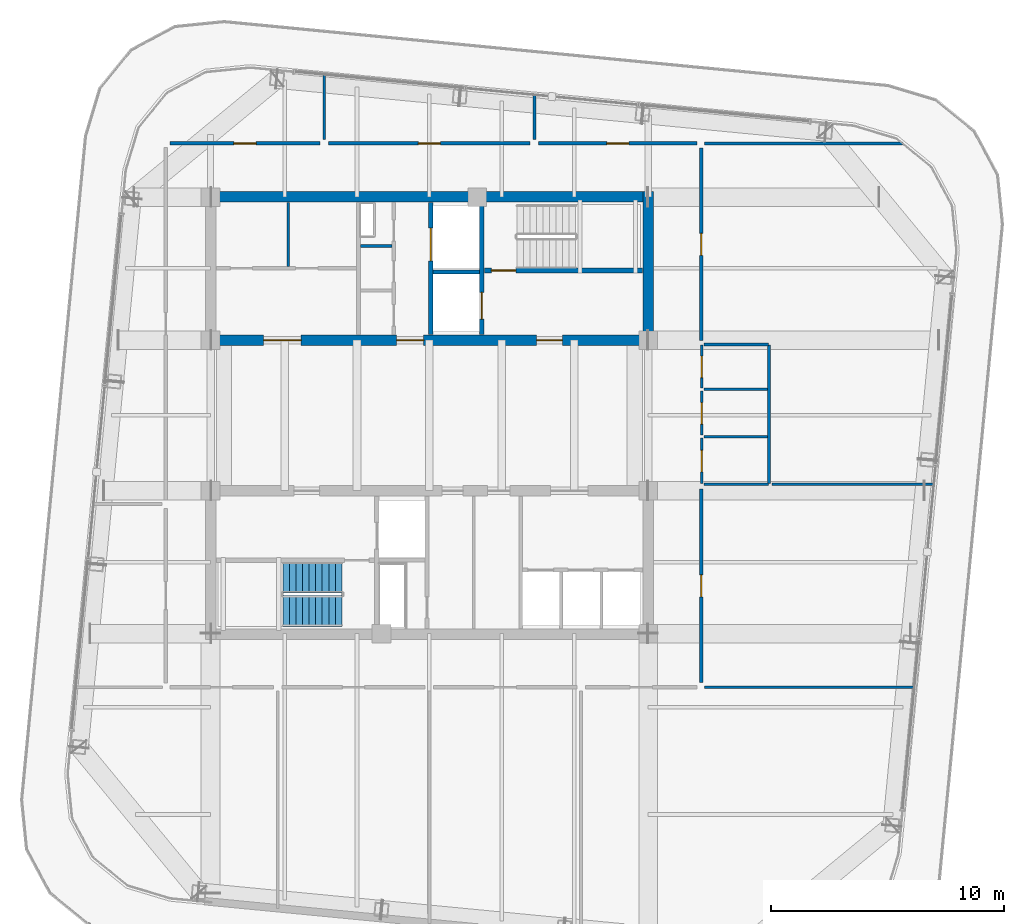
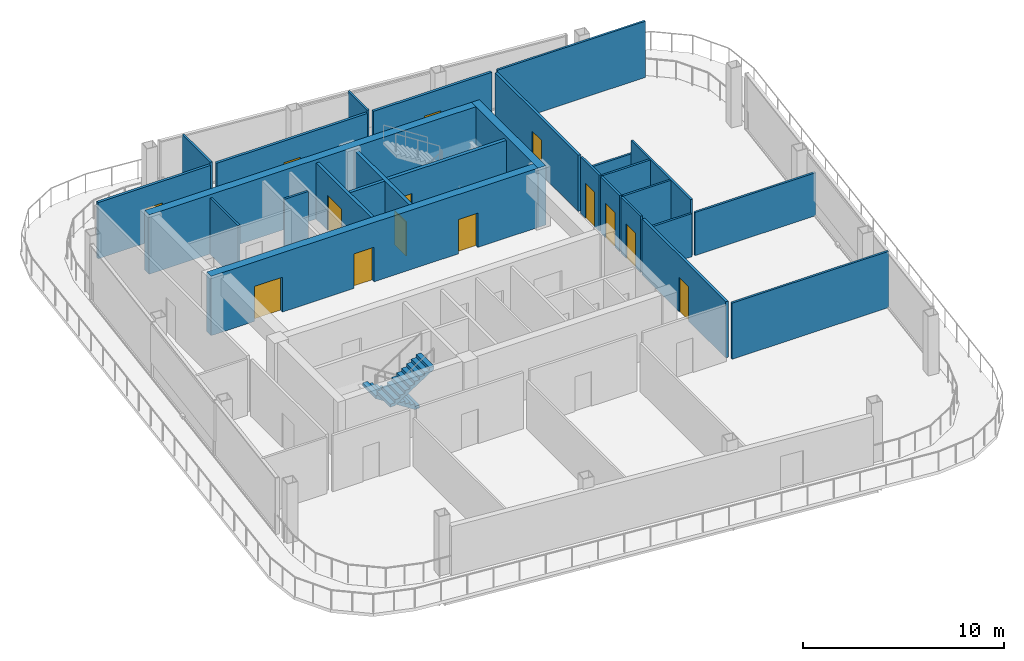
# One storey, part 14 of 20: 27 walls, 14 doors, 2 stair flights, 14 openings, 1 element without a shape of its own.
"""IFC4 building model written with IfcOpenShell, lengths in metres."""

from ifc_helpers import new_model, si_unit, direction, frame, frame_2d, origin, place, context, subcontext, project, spatial, polyline, rectangle, outline, extrude, material, layer, layer_set, type_object, element, fill, aggregate, save


model = new_model("IFC4")

# Units and contexts
model_context = context("Model", 3, precision=1e-05, world=origin(), true_north=direction((0.0, 1.0)))
body_context = subcontext(model_context, "Body", "Model", "MODEL_VIEW")
ifc_project = project(units=[si_unit("LENGTHUNIT", "METRE"), si_unit("AREAUNIT", "SQUARE_METRE"), si_unit("VOLUMEUNIT", "CUBIC_METRE"), si_unit("PLANEANGLEUNIT", "RADIAN"), si_unit("MASSUNIT", "GRAM", prefix="KILO")], contexts=[model_context])

# Site, building, storey
site_placement = place(None, origin())
site = spatial("IfcSite", under=ifc_project, at=site_placement, CompositionType="ELEMENT")
building_placement = place(site_placement, origin())
building = spatial("IfcBuilding", under=site, at=building_placement, Name="Qhalaya Broadcast Tower", CompositionType="ELEMENT")
storey_placement = place(building_placement, frame((0.0, 0.0, 273.35009765625)))
storey = spatial("IfcBuildingStorey", under=building, at=storey_placement, Name="L81", CompositionType="ELEMENT", Elevation=273.35009765625)

# Wall, opening, door
ifc_material_1 = material(Name="Gypsum Acoustic Partition")
ifc_layer_1 = layer(ifc_material_1, 0.14990234375, Name="Gypsum Acoustic Partition")
ifc_layer_set_1 = layer_set([ifc_layer_1], Name="Gypsum Acoustic Partition")
wall_type_1 = type_object("IfcWallType", Name="Corridor & Tenancy Acoustic Partition 150", PredefinedType="PARTITIONING", material=ifc_layer_set_1)
wall_1_placement = place(storey_placement, frame((-11.1201171875, 12.25, 0.0), z_axis=(0.0, 0.0, 1.0), x_axis=(1.0, 0.0, 0.0)))
wall_1 = element("IfcWall", 1, at=wall_1_placement, inside=storey, type_object=wall_type_1, Name="L81 Partition Wall W-COR-01", PredefinedType="PARTITIONING", context=body_context, shape_type="SweptSolid", body=[
    extrude(rectangle(XDim=6.440185546875, YDim=0.14990234375, at=frame_2d((3.22021484375, 0.0))), origin(), (0.0, 0.0, 1.0), 3.409912109375),
])
opening_1_placement = place(wall_1_placement, frame((2.7451171875, 0.0, 0.0)))
opening_1 = element("IfcOpeningElement", 2, at=opening_1_placement, cuts=wall_1, Name="Opening D10", PredefinedType="OPENING", context=body_context, shape_type="SweptSolid", body=[
    extrude(rectangle(XDim=0.949951171875, YDim=2.10009765625, at=frame_2d((0.47509765625, 1.050048828125))), frame((0.0, 0.0869140625, 0.0), z_axis=(0.0, -1.0, 0.0), x_axis=(1.0, 0.0, 0.0)), (0.0, 0.0, 1.0), 0.173828125),
])
ifc_material_2 = material(Name="Timber Veneer Acoustic Door", Category="wood")
door_type_1 = type_object("IfcDoorType", Name="Cellular Office & Edit Booth Door D10", OperationType="NOTDEFINED", PredefinedType="DOOR", material=ifc_material_2)
door_1_placement = place(opening_1_placement, origin())
door_1 = element("IfcDoor", 3, at=door_1_placement, inside=storey, type_object=door_type_1, Name="L81 Door D-RM01", OperationType="SINGLE_SWING_LEFT", OverallHeight=2.10009765625, OverallWidth=0.949951171875, PredefinedType="DOOR", context=body_context, shape_type="SweptSolid", body=[
    extrude(rectangle(XDim=0.949951171875, YDim=2.10009765625, at=frame_2d((0.47509765625, 1.050048828125))), frame((0.0, 0.02490234375, 0.0), z_axis=(0.0, -1.0, 0.0), x_axis=(1.0, 0.0, 0.0)), (0.0, 0.0, 1.0), 0.050048828125),
])
fill(opening_1, door_1)

wall_2_placement = place(storey_placement, frame((-4.320068359375, 12.25, 0.0), z_axis=(0.0, 0.0, 1.0), x_axis=(1.0, 0.0, 0.0)))
wall_2 = element("IfcWall", 4, at=wall_2_placement, inside=storey, type_object=wall_type_1, Name="L81 Partition Wall W-COR-02", PredefinedType="PARTITIONING", context=body_context, shape_type="SweptSolid", body=[
    extrude(rectangle(XDim=8.64013671875, YDim=0.14990234375, at=frame_2d((4.320068359375, 0.0))), origin(), (0.0, 0.0, 1.0), 3.409912109375),
])
opening_2_placement = place(wall_2_placement, frame((3.844970703125, 0.0, 0.0)))
opening_2 = element("IfcOpeningElement", 5, at=opening_2_placement, cuts=wall_2, Name="Opening D10", PredefinedType="OPENING", context=body_context, shape_type="SweptSolid", body=[
    extrude(rectangle(XDim=0.949951171875, YDim=2.10009765625, at=frame_2d((0.47509765625, 1.050048828125))), frame((0.0, 0.0869140625, 0.0), z_axis=(0.0, -1.0, 0.0), x_axis=(1.0, 0.0, 0.0)), (0.0, 0.0, 1.0), 0.173828125),
])
door_2_placement = place(opening_2_placement, origin())
door_2 = element("IfcDoor", 6, at=door_2_placement, inside=storey, type_object=door_type_1, Name="L81 Door D-RM02", OperationType="SINGLE_SWING_RIGHT", OverallHeight=2.10009765625, OverallWidth=0.949951171875, PredefinedType="DOOR", context=body_context, shape_type="SweptSolid", body=[
    extrude(rectangle(XDim=0.949951171875, YDim=2.10009765625, at=frame_2d((0.47509765625, 1.050048828125))), frame((0.0, 0.02490234375, 0.0), z_axis=(0.0, -1.0, 0.0), x_axis=(1.0, 0.0, 0.0)), (0.0, 0.0, 1.0), 0.050048828125),
])
fill(opening_2, door_2)

wall_3_placement = place(storey_placement, frame((4.679931640625, 12.25, 0.0), z_axis=(0.0, 0.0, 1.0), x_axis=(1.0, 0.0, 0.0)))
wall_3 = element("IfcWall", 7, at=wall_3_placement, inside=storey, type_object=wall_type_1, Name="L81 Partition Wall W-COR-03", PredefinedType="PARTITIONING", context=body_context, shape_type="SweptSolid", body=[
    extrude(rectangle(XDim=6.7900390625, YDim=0.14990234375, at=frame_2d((3.39501953125, 0.0))), origin(), (0.0, 0.0, 1.0), 3.409912109375),
])
opening_3_placement = place(wall_3_placement, frame((2.919921875, 0.0, 0.0)))
opening_3 = element("IfcOpeningElement", 8, at=opening_3_placement, cuts=wall_3, Name="Opening D10", PredefinedType="OPENING", context=body_context, shape_type="SweptSolid", body=[
    extrude(rectangle(XDim=0.949951171875, YDim=2.10009765625, at=frame_2d((0.47509765625, 1.050048828125))), frame((0.0, 0.0869140625, 0.0), z_axis=(0.0, -1.0, 0.0), x_axis=(1.0, 0.0, 0.0)), (0.0, 0.0, 1.0), 0.173828125),
])
door_3_placement = place(opening_3_placement, origin())
door_3 = element("IfcDoor", 9, at=door_3_placement, inside=storey, type_object=door_type_1, Name="L81 Door D-RM03", OperationType="SINGLE_SWING_LEFT", OverallHeight=2.10009765625, OverallWidth=0.949951171875, PredefinedType="DOOR", context=body_context, shape_type="SweptSolid", body=[
    extrude(rectangle(XDim=0.949951171875, YDim=2.10009765625, at=frame_2d((0.47509765625, 1.050048828125))), frame((0.0, 0.02490234375, 0.0), z_axis=(0.0, -1.0, 0.0), x_axis=(1.0, 0.0, 0.0)), (0.0, 0.0, 1.0), 0.050048828125),
])
fill(opening_3, door_3)

wall_4_placement = place(storey_placement, frame((11.64990234375, -10.85009765625, 0.0), z_axis=(0.0, 0.0, 1.0), x_axis=(0.0, 1.0, 0.0)))
wall_4 = element("IfcWall", 10, at=wall_4_placement, inside=storey, type_object=wall_type_1, Name="L81 Partition Wall W-COR-10", PredefinedType="PARTITIONING", context=body_context, shape_type="SweptSolid", body=[
    extrude(rectangle(XDim=8.2900390625, YDim=0.14990234375, at=frame_2d((4.14501953125, 0.0))), origin(), (0.0, 0.0, 1.0), 3.409912109375),
])
opening_4_placement = place(wall_4_placement, frame((3.669921875, 0.0, 0.0)))
opening_4 = element("IfcOpeningElement", 11, at=opening_4_placement, cuts=wall_4, Name="Opening D10", PredefinedType="OPENING", context=body_context, shape_type="SweptSolid", body=[
    extrude(rectangle(XDim=0.949951171875, YDim=2.10009765625, at=frame_2d((0.47509765625, 1.050048828125))), frame((0.0, 0.0869140625, 0.0), z_axis=(0.0, -1.0, 0.0), x_axis=(1.0, 0.0, 0.0)), (0.0, 0.0, 1.0), 0.173828125),
])
door_4_placement = place(opening_4_placement, origin())
door_4 = element("IfcDoor", 12, at=door_4_placement, inside=storey, type_object=door_type_1, Name="L81 Door D-RM10", OperationType="SINGLE_SWING_RIGHT", OverallHeight=2.10009765625, OverallWidth=0.949951171875, PredefinedType="DOOR", context=body_context, shape_type="SweptSolid", body=[
    extrude(rectangle(XDim=0.949951171875, YDim=2.10009765625, at=frame_2d((0.47509765625, 1.050048828125))), frame((0.0, 0.02490234375, 0.0), z_axis=(0.0, -1.0, 0.0), x_axis=(1.0, 0.0, 0.0)), (0.0, 0.0, 1.0), 0.050048828125),
])
fill(opening_4, door_4)

wall_5_placement = place(storey_placement, frame((11.64990234375, 3.800048828125, 0.0), z_axis=(0.0, 0.0, 1.0), x_axis=(0.0, 1.0, 0.0)))
wall_5 = element("IfcWall", 13, at=wall_5_placement, inside=storey, type_object=wall_type_1, Name="L81 Partition Wall W-COR-11", PredefinedType="PARTITIONING", context=body_context, shape_type="SweptSolid", body=[
    extrude(rectangle(XDim=8.25, YDim=0.14990234375, at=frame_2d((4.125, 0.0))), origin(), (0.0, 0.0, 1.0), 3.409912109375),
])
opening_5_placement = place(wall_5_placement, frame((3.64990234375, 0.0, 0.0)))
opening_5 = element("IfcOpeningElement", 14, at=opening_5_placement, cuts=wall_5, Name="Opening D10", PredefinedType="OPENING", context=body_context, shape_type="SweptSolid", body=[
    extrude(rectangle(XDim=0.949951171875, YDim=2.10009765625, at=frame_2d((0.47509765625, 1.050048828125))), frame((0.0, 0.0869140625, 0.0), z_axis=(0.0, -1.0, 0.0), x_axis=(1.0, 0.0, 0.0)), (0.0, 0.0, 1.0), 0.173828125),
])
door_5_placement = place(opening_5_placement, origin())
door_5 = element("IfcDoor", 15, at=door_5_placement, inside=storey, type_object=door_type_1, Name="L81 Door D-RM11", OperationType="SINGLE_SWING_LEFT", OverallHeight=2.10009765625, OverallWidth=0.949951171875, PredefinedType="DOOR", context=body_context, shape_type="SweptSolid", body=[
    extrude(rectangle(XDim=0.949951171875, YDim=2.10009765625, at=frame_2d((0.47509765625, 1.050048828125))), frame((0.0, 0.02490234375, 0.0), z_axis=(0.0, -1.0, 0.0), x_axis=(1.0, 0.0, 0.0)), (0.0, 0.0, 1.0), 0.050048828125),
])
fill(opening_5, door_5)

ifc_material_3 = material(Name="Concrete C50/60", Category="concrete")
ifc_layer_2 = layer(ifc_material_3, 0.199951171875, Name="Concrete C50/60")
ifc_layer_set_2 = layer_set([ifc_layer_2], Name="Concrete C50/60")
wall_type_2 = type_object("IfcWallType", Name="Load-Bearing Stair Shaft Wall 200", PredefinedType="SHEAR", material=ifc_layer_set_2)
wall_6_placement = place(storey_placement, frame((2.360107421875, 6.804931640625, 0.0), z_axis=(0.0, 0.0, 1.0), x_axis=(1.0, 0.0, 0.0)))
wall_6 = element("IfcWall", 16, at=wall_6_placement, inside=storey, type_object=wall_type_2, Name="L81 Stair Core Shear Wall NCW-ST1", PredefinedType="SHEAR", context=body_context, shape_type="SweptSolid", body=[
    extrude(rectangle(XDim=6.769775390625, YDim=0.199951171875, at=frame_2d((3.384765625, 0.0))), origin(), (0.0, 0.0, 1.0), 3.409912109375),
])
opening_6_placement = place(wall_6_placement, frame((0.300048828125, 0.0, 0.0)))
opening_6 = element("IfcOpeningElement", 17, at=opening_6_placement, cuts=wall_6, Name="Opening D03", PredefinedType="OPENING", context=body_context, shape_type="SweptSolid", body=[
    extrude(rectangle(XDim=1.050048828125, YDim=2.080078125, at=frame_2d((0.52490234375, 1.0400390625))), frame((0.0, 0.112060546875, 0.0), z_axis=(0.0, -1.0, 0.0), x_axis=(1.0, 0.0, 0.0)), (0.0, 0.0, 1.0), 0.223876953125),
])
ifc_material_4 = material(Name="Fire-Rated Steel Door", Category="steel")
door_type_2 = type_object("IfcDoorType", Name="Core Stair Protected Fire Door D03", OperationType="NOTDEFINED", PredefinedType="DOOR", material=ifc_material_4)
door_6_placement = place(opening_6_placement, origin())
door_6 = element("IfcDoor", 18, at=door_6_placement, inside=storey, type_object=door_type_2, Name="L81 Door D-NST1", OperationType="SINGLE_SWING_LEFT", OverallHeight=2.080078125, OverallWidth=1.050048828125, PredefinedType="DOOR", context=body_context, shape_type="SweptSolid", body=[
    extrude(rectangle(XDim=1.050048828125, YDim=2.080078125, at=frame_2d((0.52490234375, 1.0400390625))), frame((0.0, 0.02490234375, 0.0), z_axis=(0.0, -1.0, 0.0), x_axis=(1.0, 0.0, 0.0)), (0.0, 0.0, 1.0), 0.050048828125),
])
fill(opening_6, door_6)

wall_7_placement = place(storey_placement, frame((2.25, 4.070068359375, 0.0), z_axis=(0.0, 0.0, 1.0), x_axis=(0.0, 1.0, 0.0)))
wall_7 = element("IfcWall", 19, at=wall_7_placement, inside=storey, type_object=wall_type_2, Name="L81 Stair Core Shear Wall NCW-FF", PredefinedType="SHEAR", context=body_context, shape_type="SweptSolid", body=[
    extrude(rectangle(XDim=5.659912109375, YDim=0.199951171875, at=frame_2d((2.830078125, 0.0))), origin(), (0.0, 0.0, 1.0), 3.409912109375),
])
opening_7_placement = place(wall_7_placement, frame((0.64990234375, 0.0, 0.0)))
opening_7 = element("IfcOpeningElement", 20, at=opening_7_placement, cuts=wall_7, Name="Opening LD2", PredefinedType="OPENING", context=body_context, shape_type="SweptSolid", body=[
    extrude(rectangle(XDim=1.14990234375, YDim=2.080078125, at=frame_2d((0.574951171875, 1.0400390625))), frame((0.0, 0.112060546875, 0.0), z_axis=(0.0, -1.0, 0.0), x_axis=(1.0, 0.0, 0.0)), (0.0, 0.0, 1.0), 0.223876953125),
])
ifc_material_5 = material(Name="Brushed Stainless Steel Lift Door", Category="steel")
door_type_3 = type_object("IfcDoorType", Name="Firefighting Lift Sliding Landing Door LD2", OperationType="DOUBLE_DOOR_SLIDING", PredefinedType="DOOR", material=ifc_material_5)
door_7_placement = place(opening_7_placement, origin())
door_7 = element("IfcDoor", 21, at=door_7_placement, inside=storey, type_object=door_type_3, Name="L81 Door LD-FF1", OperationType="DOUBLE_DOOR_SLIDING", OverallHeight=2.080078125, OverallWidth=1.14990234375, PredefinedType="DOOR", context=body_context, shape_type="SweptSolid", body=[
    extrude(rectangle(XDim=1.14990234375, YDim=2.080078125, at=frame_2d((0.574951171875, 1.0400390625))), frame((0.0, 0.02490234375, 0.0), z_axis=(0.0, -1.0, 0.0), x_axis=(1.0, 0.0, 0.0)), (0.0, 0.0, 1.0), 0.050048828125),
])
fill(opening_7, door_7)

# Walls
ifc_layer_3 = layer(ifc_material_1, 0.1201171875, Name="Gypsum Acoustic Partition")
ifc_layer_set_3 = layer_set([ifc_layer_3], Name="Gypsum Acoustic Partition")
wall_type_3 = type_object("IfcWallType", Name="Office, Booth & Sanitary Partition 120", PredefinedType="PARTITIONING", material=ifc_layer_set_3)
wall_8_placement = place(storey_placement, frame((-2.9599609375, 7.85009765625, 0.0), z_axis=(0.0, 0.0, 1.0), x_axis=(1.0, 0.0, 0.0)))
element("IfcWall", 22, at=wall_8_placement, inside=storey, type_object=wall_type_3, Name="L81 Partition Wall NCW-VB2", PredefinedType="PARTITIONING", context=body_context, shape_type="SweptSolid", body=[
    extrude(rectangle(XDim=1.35986328125, YDim=0.1201171875, at=frame_2d((0.679931640625, 0.0))), origin(), (0.0, 0.0, 1.0), 3.409912109375),
])
wall_9_placement = place(storey_placement, frame((-6.050048828125, 6.97998046875, 0.0), z_axis=(0.0, 0.0, 1.0), x_axis=(0.0, 1.0, 0.0)))
element("IfcWall", 23, at=wall_9_placement, inside=storey, type_object=wall_type_3, Name="L81 Partition Wall NCW-REC2", PredefinedType="PARTITIONING", context=body_context, shape_type="SweptSolid", body=[
    extrude(rectangle(XDim=2.75, YDim=0.1201171875, at=frame_2d((1.375, 0.0))), origin(), (0.0, 0.0, 1.0), 3.409912109375),
])

# Wall, opening, door
wall_10_placement = place(storey_placement, frame((11.669921875, -2.320068359375, 0.0), z_axis=(0.0, 0.0, 1.0), x_axis=(0.0, 1.0, 0.0)))
wall_10 = element("IfcWall", 24, at=wall_10_placement, inside=storey, type_object=wall_type_3, Name="L81 Partition Wall W-WCWA", PredefinedType="PARTITIONING", context=body_context, shape_type="SweptSolid", body=[
    extrude(rectangle(XDim=1.940185546875, YDim=0.1201171875, at=frame_2d((0.97021484375, 0.0))), origin(), (0.0, 0.0, 1.0), 3.409912109375),
])
opening_8_placement = place(wall_10_placement, frame((0.4951171875, 0.0, 0.0)))
opening_8 = element("IfcOpeningElement", 25, at=opening_8_placement, cuts=wall_10, Name="Opening D12", PredefinedType="OPENING", context=body_context, shape_type="SweptSolid", body=[
    extrude(rectangle(XDim=0.919921875, YDim=2.10009765625, at=frame_2d((0.4599609375, 1.050048828125))), frame((0.0, 0.072021484375, 0.0), z_axis=(0.0, -1.0, 0.0), x_axis=(1.0, 0.0, 0.0)), (0.0, 0.0, 1.0), 0.14404296875),
])
door_type_4 = type_object("IfcDoorType", Name="Accessible WC & Restroom Door D12", OperationType="NOTDEFINED", PredefinedType="DOOR", material=ifc_material_2)
door_8_placement = place(opening_8_placement, origin())
door_8 = element("IfcDoor", 26, at=door_8_placement, inside=storey, type_object=door_type_4, Name="L81 Door D-WCA", OperationType="SINGLE_SWING_LEFT", OverallHeight=2.10009765625, OverallWidth=0.919921875, PredefinedType="DOOR", context=body_context, shape_type="SweptSolid", body=[
    extrude(rectangle(XDim=0.919921875, YDim=2.10009765625, at=frame_2d((0.4599609375, 1.050048828125))), frame((0.0, 0.02490234375, 0.0), z_axis=(0.0, -1.0, 0.0), x_axis=(1.0, 0.0, 0.0)), (0.0, 0.0, 1.0), 0.050048828125),
])
fill(opening_8, door_8)

wall_11_placement = place(storey_placement, frame((11.669921875, -0.25, 0.0), z_axis=(0.0, 0.0, 1.0), x_axis=(0.0, 1.0, 0.0)))
wall_11 = element("IfcWall", 27, at=wall_11_placement, inside=storey, type_object=wall_type_3, Name="L81 Partition Wall W-WCWM", PredefinedType="PARTITIONING", context=body_context, shape_type="SweptSolid", body=[
    extrude(rectangle(XDim=1.89990234375, YDim=0.1201171875, at=frame_2d((0.949951171875, 0.0))), origin(), (0.0, 0.0, 1.0), 3.409912109375),
])
opening_9_placement = place(wall_11_placement, frame((0.47509765625, 0.0, 0.0)))
opening_9 = element("IfcOpeningElement", 28, at=opening_9_placement, cuts=wall_11, Name="Opening D12", PredefinedType="OPENING", context=body_context, shape_type="SweptSolid", body=[
    extrude(rectangle(XDim=0.919921875, YDim=2.10009765625, at=frame_2d((0.4599609375, 1.050048828125))), frame((0.0, 0.072021484375, 0.0), z_axis=(0.0, -1.0, 0.0), x_axis=(1.0, 0.0, 0.0)), (0.0, 0.0, 1.0), 0.14404296875),
])
door_9_placement = place(opening_9_placement, origin())
door_9 = element("IfcDoor", 29, at=door_9_placement, inside=storey, type_object=door_type_4, Name="L81 Door D-WCM", OperationType="SINGLE_SWING_RIGHT", OverallHeight=2.10009765625, OverallWidth=0.919921875, PredefinedType="DOOR", context=body_context, shape_type="SweptSolid", body=[
    extrude(rectangle(XDim=0.919921875, YDim=2.10009765625, at=frame_2d((0.4599609375, 1.050048828125))), frame((0.0, 0.02490234375, 0.0), z_axis=(0.0, -1.0, 0.0), x_axis=(1.0, 0.0, 0.0)), (0.0, 0.0, 1.0), 0.050048828125),
])
fill(opening_9, door_9)

wall_12_placement = place(storey_placement, frame((11.669921875, 1.780029296875, 0.0), z_axis=(0.0, 0.0, 1.0), x_axis=(0.0, 1.0, 0.0)))
wall_12 = element("IfcWall", 30, at=wall_12_placement, inside=storey, type_object=wall_type_3, Name="L81 Partition Wall W-WCWF", PredefinedType="PARTITIONING", context=body_context, shape_type="SweptSolid", body=[
    extrude(rectangle(XDim=1.830078125, YDim=0.1201171875, at=frame_2d((0.9150390625, 0.0))), origin(), (0.0, 0.0, 1.0), 3.409912109375),
])
opening_10_placement = place(wall_12_placement, frame((0.43994140625, 0.0, 0.0)))
opening_10 = element("IfcOpeningElement", 31, at=opening_10_placement, cuts=wall_12, Name="Opening D12", PredefinedType="OPENING", context=body_context, shape_type="SweptSolid", body=[
    extrude(rectangle(XDim=0.919921875, YDim=2.10009765625, at=frame_2d((0.4599609375, 1.050048828125))), frame((0.0, 0.072021484375, 0.0), z_axis=(0.0, -1.0, 0.0), x_axis=(1.0, 0.0, 0.0)), (0.0, 0.0, 1.0), 0.14404296875),
])
door_10_placement = place(opening_10_placement, origin())
door_10 = element("IfcDoor", 32, at=door_10_placement, inside=storey, type_object=door_type_4, Name="L81 Door D-WCF", OperationType="SINGLE_SWING_LEFT", OverallHeight=2.10009765625, OverallWidth=0.919921875, PredefinedType="DOOR", context=body_context, shape_type="SweptSolid", body=[
    extrude(rectangle(XDim=0.919921875, YDim=2.10009765625, at=frame_2d((0.4599609375, 1.050048828125))), frame((0.0, 0.02490234375, 0.0), z_axis=(0.0, -1.0, 0.0), x_axis=(1.0, 0.0, 0.0)), (0.0, 0.0, 1.0), 0.050048828125),
])
fill(opening_10, door_10)

# Walls
wall_13_placement = place(storey_placement, frame((14.550048828125, -2.320068359375, 0.0), z_axis=(0.0, 0.0, 1.0), x_axis=(0.0, 1.0, 0.0)))
element("IfcWall", 33, at=wall_13_placement, inside=storey, type_object=wall_type_3, Name="L81 Partition Wall W-WCE", PredefinedType="PARTITIONING", context=body_context, shape_type="SweptSolid", body=[
    extrude(rectangle(XDim=5.93017578125, YDim=0.1201171875, at=frame_2d((2.965087890625, 0.0))), origin(), (0.0, 0.0, 1.0), 3.409912109375),
])
for number, where, z_axis, x_axis, name in (
    (34, (11.760009765625, -2.35009765625, 0.0), (0.0, 0.0, 1.0), (1.0, 0.0, 0.0), "L81 Partition Wall W-WCS"),
    (35, (11.760009765625, 3.639892578125, 0.0), (0.0, 0.0, 1.0), (1.0, 0.0, 0.0), "L81 Partition Wall W-WCN"),
):
    element("IfcWall", number, at=place(storey_placement, frame(where, z_axis=z_axis, x_axis=x_axis)), inside=storey, type_object=wall_type_3, Name=name, PredefinedType="PARTITIONING", context=body_context, shape_type="SweptSolid", body=[
        extrude(rectangle(XDim=2.760009765625, YDim=0.1201171875, at=frame_2d((1.3798828125, 0.0))), origin(), (0.0, 0.0, 1.0), 2.60986328125),
    ])
for number, where, z_axis, x_axis, name in (
    (36, (11.760009765625, -0.320068359375, 0.0), (0.0, 0.0, 1.0), (1.0, 0.0, 0.0), "L81 Partition Wall W-WCD1"),
    (37, (11.760009765625, 1.719970703125, 0.0), (0.0, 0.0, 1.0), (1.0, 0.0, 0.0), "L81 Partition Wall W-WCD2"),
):
    element("IfcWall", number, at=place(storey_placement, frame(where, z_axis=z_axis, x_axis=x_axis)), inside=storey, type_object=wall_type_3, Name=name, PredefinedType="PARTITIONING", context=body_context, shape_type="SweptSolid", body=[
        extrude(rectangle(XDim=2.719970703125, YDim=0.1201171875, at=frame_2d((1.35986328125, 0.0))), origin(), (0.0, 0.0, 1.0), 3.409912109375),
    ])
wall_14_placement = place(storey_placement, frame((11.7900390625, 12.25, 0.0), z_axis=(0.0, 0.0, 1.0), x_axis=(1.0, 0.0, 0.0)))
element("IfcWall", 38, at=wall_14_placement, inside=storey, type_object=wall_type_3, Name="L81 Partition Wall W-BNDE1", PredefinedType="PARTITIONING", context=body_context, shape_type="SweptSolid", body=[
    extrude(rectangle(XDim=8.484130859375, YDim=0.1201171875, at=frame_2d((4.2421875, 0.0))), origin(), (0.0, 0.0, 1.0), 3.409912109375),
])
wall_15_placement = place(storey_placement, frame((11.7900390625, -11.050048828125, 0.0), z_axis=(0.0, 0.0, 1.0), x_axis=(1.0, 0.0, 0.0)))
element("IfcWall", 39, at=wall_15_placement, inside=storey, type_object=wall_type_3, Name="L81 Partition Wall W-BNDE2", PredefinedType="PARTITIONING", context=body_context, shape_type="SweptSolid", body=[
    extrude(rectangle(XDim=8.989501953125, YDim=0.1201171875, at=frame_2d((4.49462890625, 0.0))), origin(), (0.0, 0.0, 1.0), 3.409912109375),
])
wall_16_placement = place(storey_placement, frame((-4.5, 12.409912109375, 0.0), z_axis=(0.0, 0.0, 1.0), x_axis=(0.0, 1.0, 0.0)))
element("IfcWall", 40, at=wall_16_placement, inside=storey, type_object=wall_type_3, Name="L81 Partition Wall W-DIVN1", PredefinedType="PARTITIONING", context=body_context, shape_type="SweptSolid", body=[
    extrude(rectangle(XDim=2.786865234375, YDim=0.1201171875, at=frame_2d((1.3935546875, 0.0))), origin(), (0.0, 0.0, 1.0), 3.409912109375),
])
wall_17_placement = place(storey_placement, frame((4.5, 12.409912109375, 0.0), z_axis=(0.0, 0.0, 1.0), x_axis=(0.0, 1.0, 0.0)))
element("IfcWall", 41, at=wall_17_placement, inside=storey, type_object=wall_type_3, Name="L81 Partition Wall W-DIVN2", PredefinedType="PARTITIONING", context=body_context, shape_type="SweptSolid", body=[
    extrude(rectangle(XDim=1.920166015625, YDim=0.1201171875, at=frame_2d((0.9599609375, 0.0))), origin(), (0.0, 0.0, 1.0), 3.409912109375),
])
wall_18_placement = place(storey_placement, frame((14.68994140625, -2.35009765625, 0.0), z_axis=(0.0, 0.0, 1.0), x_axis=(1.0, 0.0, 0.0)))
element("IfcWall", 42, at=wall_18_placement, inside=storey, type_object=wall_type_3, Name="L81 Partition Wall W-DIVE-WC", PredefinedType="PARTITIONING", context=body_context, shape_type="SweptSolid", body=[
    extrude(rectangle(XDim=6.92724609375, YDim=0.1201171875, at=frame_2d((3.463623046875, 0.0))), origin(), (0.0, 0.0, 1.0), 2.60986328125),
])

# Wall, opening, door
ifc_layer_4 = layer(ifc_material_1, 0.175048828125, Name="Gypsum Acoustic Partition")
ifc_layer_set_4 = layer_set([ifc_layer_4], Name="Gypsum Acoustic Partition")
wall_type_4 = type_object("IfcWallType", Name="Shaft & Riser Fire Partition 175", PredefinedType="PARTITIONING", material=ifc_layer_set_4)
wall_19_placement = place(storey_placement, frame((0.06005859375, 4.070068359375, 0.0), z_axis=(0.0, 0.0, 1.0), x_axis=(0.0, 1.0, 0.0)))
wall_19 = element("IfcWall", 43, at=wall_19_placement, inside=storey, type_object=wall_type_4, Name="L81 Partition Wall NCW-SVW", PredefinedType="PARTITIONING", context=body_context, shape_type="SweptSolid", body=[
    extrude(rectangle(XDim=5.659912109375, YDim=0.175048828125, at=frame_2d((2.830078125, 0.0))), origin(), (0.0, 0.0, 1.0), 3.409912109375),
])
opening_11_placement = place(wall_19_placement, frame((3.14990234375, 0.0, 0.0)))
opening_11 = element("IfcOpeningElement", 44, at=opening_11_placement, cuts=wall_19, Name="Opening LD3", PredefinedType="OPENING", context=body_context, shape_type="SweptSolid", body=[
    extrude(rectangle(XDim=1.39990234375, YDim=2.1201171875, at=frame_2d((0.699951171875, 1.06005859375))), frame((0.0, 0.099609375, 0.0), z_axis=(0.0, -1.0, 0.0), x_axis=(1.0, 0.0, 0.0)), (0.0, 0.0, 1.0), 0.198974609375),
])
door_type_5 = type_object("IfcDoorType", Name="Service Lift Wide Sliding Landing Door LD3", OperationType="DOUBLE_DOOR_SLIDING", PredefinedType="DOOR", material=ifc_material_5)
door_11_placement = place(opening_11_placement, origin())
door_11 = element("IfcDoor", 45, at=door_11_placement, inside=storey, type_object=door_type_5, Name="L81 Door LD-SV1", OperationType="DOUBLE_DOOR_SLIDING", OverallHeight=2.1201171875, OverallWidth=1.39990234375, PredefinedType="DOOR", context=body_context, shape_type="SweptSolid", body=[
    extrude(rectangle(XDim=1.39990234375, YDim=2.1201171875, at=frame_2d((0.699951171875, 1.06005859375))), frame((0.0, 0.02490234375, 0.0), z_axis=(0.0, -1.0, 0.0), x_axis=(1.0, 0.0, 0.0)), (0.0, 0.0, 1.0), 0.050048828125),
])
fill(opening_11, door_11)

# Walls
wall_20_placement = place(storey_placement, frame((0.159912109375, 6.75, 0.0), z_axis=(0.0, 0.0, 1.0), x_axis=(1.0, 0.0, 0.0)))
element("IfcWall", 46, at=wall_20_placement, inside=storey, type_object=wall_type_4, Name="L81 Partition Wall NCW-SVM", PredefinedType="PARTITIONING", context=body_context, shape_type="SweptSolid", body=[
    extrude(rectangle(XDim=1.97998046875, YDim=0.175048828125, at=frame_2d((0.989990234375, 0.0))), origin(), (0.0, 0.0, 1.0), 3.409912109375),
])
ifc_layer_5 = layer(ifc_material_3, 0.449951171875, Name="Concrete C50/60")
ifc_layer_set_5 = layer_set([ifc_layer_5], Name="Concrete C50/60")
wall_type_5 = type_object("IfcWallType", Name="Upper Split-Core Shear Wall 450", PredefinedType="SHEAR", material=ifc_layer_set_5)
wall_21_placement = place(storey_placement, frame((-9.60009765625, 9.97509765625, 0.0), z_axis=(0.0, 0.0, 1.0), x_axis=(1.0, 0.0, 0.0)))
element("IfcWall", 47, at=wall_21_placement, inside=storey, type_object=wall_type_5, Name="L81 Split-Core Shear Wall CW-NN", PredefinedType="SHEAR", context=body_context, shape_type="SweptSolid", body=[
    extrude(rectangle(XDim=19.2001953125, YDim=0.449951171875, at=frame_2d((9.60009765625, 0.0))), origin(), (0.0, 0.0, 1.0), 3.599853515625),
])

# Wall, openings, doors
wall_22_placement = place(storey_placement, frame((-9.60009765625, 3.824951171875, 0.0), z_axis=(0.0, 0.0, 1.0), x_axis=(1.0, 0.0, 0.0)))
wall_22 = element("IfcWall", 48, at=wall_22_placement, inside=storey, type_object=wall_type_5, Name="L81 Split-Core Shear Wall CW-NS", PredefinedType="SHEAR", context=body_context, shape_type="SweptSolid", body=[
    extrude(rectangle(XDim=19.2001953125, YDim=0.449951171875, at=frame_2d((9.60009765625, 0.0))), origin(), (0.0, 0.0, 1.0), 3.599853515625),
])
opening_12_placement = place(wall_22_placement, frame((14.199951171875, 0.0, 0.0)))
opening_12 = element("IfcOpeningElement", 49, at=opening_12_placement, cuts=wall_22, Name="Opening D04", PredefinedType="OPENING", context=body_context, shape_type="SweptSolid", body=[
    extrude(rectangle(XDim=1.10009765625, YDim=2.080078125, at=frame_2d((0.550048828125, 1.0400390625))), frame((0.0, 0.237060546875, 0.0), z_axis=(0.0, -1.0, 0.0), x_axis=(1.0, 0.0, 0.0)), (0.0, 0.0, 1.0), 0.473876953125),
])
opening_13_placement = place(wall_22_placement, frame((8.199951171875, 0.0, 0.0)))
opening_13 = element("IfcOpeningElement", 50, at=opening_13_placement, cuts=wall_22, Name="Opening D05", PredefinedType="OPENING", context=body_context, shape_type="SweptSolid", body=[
    extrude(rectangle(XDim=1.14990234375, YDim=2.10009765625, at=frame_2d((0.574951171875, 1.050048828125))), frame((0.0, 0.237060546875, 0.0), z_axis=(0.0, -1.0, 0.0), x_axis=(1.0, 0.0, 0.0)), (0.0, 0.0, 1.0), 0.473876953125),
])
opening_14_placement = place(wall_22_placement, frame((2.5, 0.0, 0.0)))
opening_14 = element("IfcOpeningElement", 51, at=opening_14_placement, cuts=wall_22, Name="Opening D07", PredefinedType="OPENING", context=body_context, shape_type="SweptSolid", body=[
    extrude(rectangle(XDim=1.60009765625, YDim=2.1201171875, at=frame_2d((0.800048828125, 1.06005859375))), frame((0.0, 0.237060546875, 0.0), z_axis=(0.0, -1.0, 0.0), x_axis=(1.0, 0.0, 0.0)), (0.0, 0.0, 1.0), 0.473876953125),
])
door_type_6 = type_object("IfcDoorType", Name="Firefighting Lobby Rated Door D04", OperationType="NOTDEFINED", PredefinedType="DOOR", material=ifc_material_4)
door_12_placement = place(opening_12_placement, origin())
door_12 = element("IfcDoor", 52, at=door_12_placement, inside=storey, type_object=door_type_6, Name="L81 Door D-NFF", OperationType="SINGLE_SWING_RIGHT", OverallHeight=2.080078125, OverallWidth=1.10009765625, PredefinedType="DOOR", context=body_context, shape_type="SweptSolid", body=[
    extrude(rectangle(XDim=1.10009765625, YDim=2.080078125, at=frame_2d((0.550048828125, 1.0400390625))), frame((0.0, 0.02490234375, 0.0), z_axis=(0.0, -1.0, 0.0), x_axis=(1.0, 0.0, 0.0)), (0.0, 0.0, 1.0), 0.050048828125),
])
fill(opening_12, door_12)
ifc_material_6 = material(Name="Anodised Aluminium Glazed Door", Category="aluminium")
door_type_7 = type_object("IfcDoorType", Name="Passenger Lift Lobby Double Glazed Door D07", OperationType="DOUBLE_DOOR_SINGLE_SWING", PredefinedType="DOOR", material=ifc_material_6)
door_13_placement = place(opening_14_placement, origin())
door_13 = element("IfcDoor", 53, at=door_13_placement, inside=storey, type_object=door_type_7, Name="L81 Door D-NRECV", OperationType="DOUBLE_DOOR_SINGLE_SWING", OverallHeight=2.1201171875, OverallWidth=1.60009765625, PredefinedType="DOOR", context=body_context, shape_type="SweptSolid", body=[
    extrude(rectangle(XDim=1.60009765625, YDim=2.1201171875, at=frame_2d((0.800048828125, 1.06005859375))), frame((0.0, 0.02490234375, 0.0), z_axis=(0.0, -1.0, 0.0), x_axis=(1.0, 0.0, 0.0)), (0.0, 0.0, 1.0), 0.050048828125),
])
fill(opening_14, door_13)
door_type_8 = type_object("IfcDoorType", Name="Refuge & Plant Room Fire Door D05", OperationType="NOTDEFINED", PredefinedType="DOOR", material=ifc_material_4)
door_14_placement = place(opening_13_placement, origin())
door_14 = element("IfcDoor", 54, at=door_14_placement, inside=storey, type_object=door_type_8, Name="L81 Door D-NSVL", OperationType="SINGLE_SWING_LEFT", OverallHeight=2.10009765625, OverallWidth=1.14990234375, PredefinedType="DOOR", context=body_context, shape_type="SweptSolid", body=[
    extrude(rectangle(XDim=1.14990234375, YDim=2.10009765625, at=frame_2d((0.574951171875, 1.050048828125))), frame((0.0, 0.02490234375, 0.0), z_axis=(0.0, -1.0, 0.0), x_axis=(1.0, 0.0, 0.0)), (0.0, 0.0, 1.0), 0.050048828125),
])
fill(opening_13, door_14)

# Wall
wall_23_placement = place(storey_placement, frame((9.375, 3.60009765625, 0.0), z_axis=(0.0, 0.0, 1.0), x_axis=(0.0, 1.0, 0.0)))
element("IfcWall", 55, at=wall_23_placement, inside=storey, type_object=wall_type_5, Name="L81 Split-Core Shear Wall CW-NE", PredefinedType="SHEAR", context=body_context, shape_type="SweptSolid", body=[
    extrude(rectangle(XDim=6.599853515625, YDim=0.449951171875, at=frame_2d((3.2998046875, 0.0))), origin(), (0.0, 0.0, 1.0), 3.599853515625),
])

# Stair, stair flights
ifc_material_7 = material(Name="Concrete C40/50", Category="concrete")
stair_type = type_object("IfcStairType", Name="Protected Dogleg Core Stair 3600", PredefinedType="TWO_STRAIGHT_RUN_STAIR", material=ifc_material_7)
stair_placement = place(storey_placement, origin())
stair = element("IfcStair", 56, at=stair_placement, inside=storey, type_object=stair_type, Name="L81 South Core Exit Stair ST-2", PredefinedType="TWO_STRAIGHT_RUN_STAIR")
ifc_material_8 = material(Name="Precast Concrete C40/50", Category="concrete")
stair_flight_type = type_object("IfcStairFlightType", Name="Precast Concrete Stair Flight 3600", PredefinedType="STRAIGHT", material=ifc_material_8)
stair_flight_1_placement = place(storey_placement, frame((-3.75, -6.340087890625, 0.0), z_axis=(0.0, 0.0, 1.0), x_axis=(-1.0, 0.0, 0.0)))
stair_flight_1 = element("IfcStairFlight", 57, at=stair_flight_1_placement, type_object=stair_flight_type, Name="ST-2 flight 1", NumberOfRisers=10, NumberOfTreads=9, PredefinedType="STRAIGHT", RiserHeight=0.18, TreadLength=0.28, context=body_context, shape_type="SweptSolid", body=[
    extrude(outline(polyline([(0.0, 0.0), (0.0, 0.179931640625), (0.280029296875, 0.179931640625), (0.280029296875, 0.360107421875), (0.56005859375, 0.360107421875), (0.56005859375, 0.5400390625), (0.840087890625, 0.5400390625), (0.840087890625, 0.719970703125), (1.1201171875, 0.719970703125), (1.1201171875, 0.89990234375), (1.39990234375, 0.89990234375), (1.39990234375, 1.080078125), (1.679931640625, 1.080078125), (1.679931640625, 1.260009765625), (1.9599609375, 1.260009765625), (1.9599609375, 1.43994140625), (2.239990234375, 1.43994140625), (2.239990234375, 1.6201171875), (2.52001953125, 1.6201171875), (2.52001953125, 1.800048828125), (2.52001953125, 1.44189453125), (0.277099609375, 0.0), (0.0, 0.0)])), frame((0.0, 0.66015625, 0.0), z_axis=(0.0, -1.0, 0.0), x_axis=(1.0, 0.0, 0.0)), (0.0, 0.0, 1.0), 1.320068359375),
])
stair_flight_2_placement = place(storey_placement, frame((-6.27001953125, -7.780029296875, 1.7998046875), z_axis=(0.0, 0.0, 1.0), x_axis=(1.0, 0.0, 0.0)))
stair_flight_2 = element("IfcStairFlight", 58, at=stair_flight_2_placement, type_object=stair_flight_type, Name="ST-2 flight 2", NumberOfRisers=10, NumberOfTreads=9, PredefinedType="STRAIGHT", RiserHeight=0.18, TreadLength=0.28, context=body_context, shape_type="SweptSolid", body=[
    extrude(outline(polyline([(0.0, 0.0), (0.0, 0.179931640625), (0.280029296875, 0.179931640625), (0.280029296875, 0.360107421875), (0.56005859375, 0.360107421875), (0.56005859375, 0.5400390625), (0.840087890625, 0.5400390625), (0.840087890625, 0.719970703125), (1.1201171875, 0.719970703125), (1.1201171875, 0.89990234375), (1.39990234375, 0.89990234375), (1.39990234375, 1.080078125), (1.679931640625, 1.080078125), (1.679931640625, 1.260009765625), (1.9599609375, 1.260009765625), (1.9599609375, 1.43994140625), (2.239990234375, 1.43994140625), (2.239990234375, 1.6201171875), (2.52001953125, 1.6201171875), (2.52001953125, 1.800048828125), (2.52001953125, 1.44189453125), (0.277099609375, 0.0), (0.0, 0.0)])), frame((0.0, 0.66015625, 0.0), z_axis=(0.0, -1.0, 0.0), x_axis=(1.0, 0.0, 0.0)), (0.0, 0.0, 1.0), 1.320068359375),
])
aggregate(stair, [stair_flight_1, stair_flight_2])

save(model, "model.ifc")
